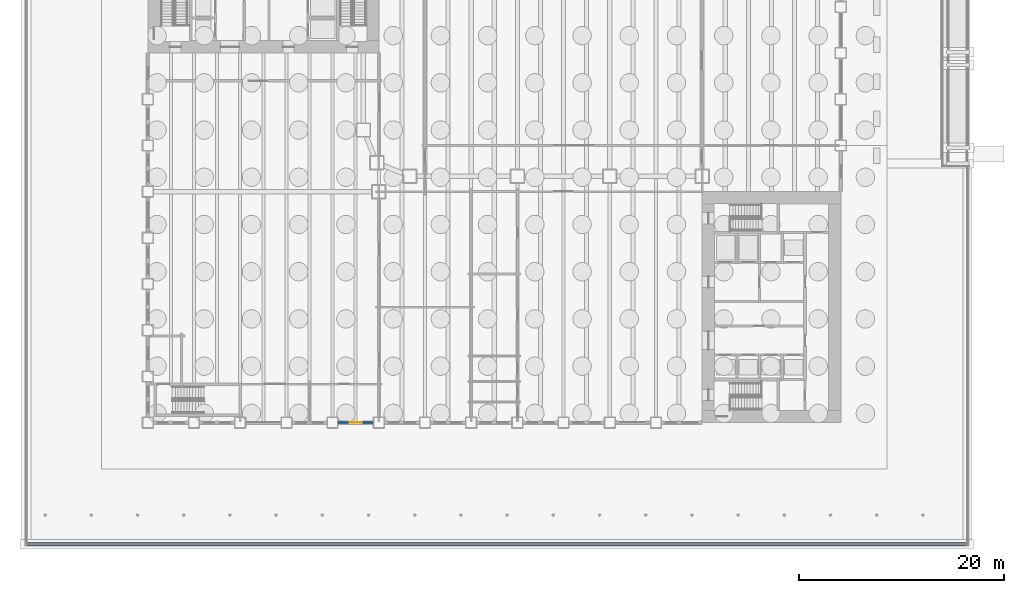
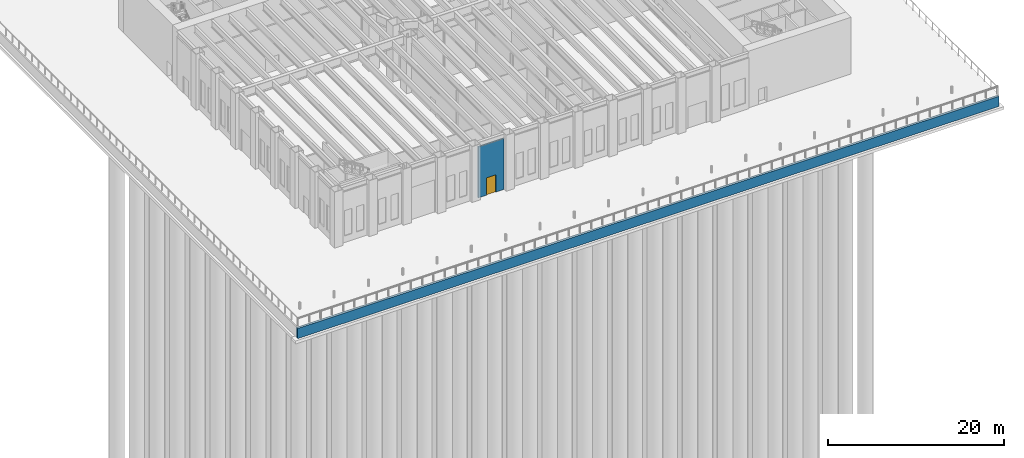
# One storey, part 7 of 26: 2 walls, 1 door, 1 opening.
"""IFC4 building model written with IfcOpenShell, lengths in metres."""

from ifc_helpers import new_model, si_unit, direction, frame, frame_2d, origin, place, context, subcontext, project, spatial, rectangle, extrude, material, layer, layer_set, type_object, element, fill, save


model = new_model("IFC4")

# Units and contexts
model_context = context("Model", 3, precision=1e-05, world=origin(), true_north=direction((0.0, 1.0)))
body_context = subcontext(model_context, "Body", "Model", "MODEL_VIEW")
ifc_project = project(units=[si_unit("LENGTHUNIT", "METRE"), si_unit("AREAUNIT", "SQUARE_METRE"), si_unit("VOLUMEUNIT", "CUBIC_METRE"), si_unit("PLANEANGLEUNIT", "RADIAN"), si_unit("MASSUNIT", "GRAM", prefix="KILO")], contexts=[model_context])

# Site, building, storey
site_placement = place(None, origin())
site = spatial("IfcSite", under=ifc_project, at=site_placement, CompositionType="ELEMENT")
building_placement = place(site_placement, origin())
building = spatial("IfcBuilding", under=site, at=building_placement, Name="Sennacour Bend Tower", CompositionType="ELEMENT")
storey_placement = place(building_placement, origin())
storey = spatial("IfcBuildingStorey", under=building, at=storey_placement, Name="L00", CompositionType="ELEMENT", Elevation=0.0)

# Wall, opening, door
ifc_material_1 = material(Name="Bronze anodised aluminium panel", Category="aluminium")
ifc_layer_1 = layer(ifc_material_1, 0.030029296875, Name="Bronze anodised aluminium panel", Category="aluminium")
ifc_material_2 = material(Name="Precast concrete C40/50", Category="concrete")
ifc_layer_2 = layer(ifc_material_2, 0.169921875, Name="Precast concrete C40/50", Category="concrete")
ifc_layer_set_1 = layer_set([ifc_layer_1, ifc_layer_2], Name="Precast concrete C40/50 with bronze aluminium panel")
wall_type_1 = type_object("IfcWallType", Name="ALUMINIUM-CLAD INFILL WALL 200", PredefinedType="STANDARD", material=ifc_layer_set_1)
wall_1_placement = place(storey_placement, frame((21.949951171875, 0.0, 0.0), z_axis=(0.0, 0.0, 1.0), x_axis=(-1.0, 0.0, 0.0)))
wall_1 = element("IfcWall", 1, at=wall_1_placement, inside=storey, type_object=wall_type_1, Name="Infill wall L00 03.04", PredefinedType="STANDARD", context=body_context, shape_type="SweptSolid", body=[
    extrude(rectangle(XDim=3.39990234375, YDim=0.199951171875, at=frame_2d((1.699951171875, 0.0))), origin(), (0.0, 0.0, 1.0), 7.035888671875),
])
opening_placement = place(wall_1_placement, frame((1.10009765625, 0.0, 0.0)))
opening = element("IfcOpeningElement", 2, at=opening_placement, cuts=wall_1, Name="Opening ED2", PredefinedType="OPENING", context=body_context, shape_type="SweptSolid", body=[
    extrude(rectangle(XDim=1.199951171875, YDim=2.39990234375, at=frame_2d((0.60009765625, 1.199951171875))), frame((0.0, 0.10986328125, 0.0), z_axis=(0.0, -1.0, 0.0), x_axis=(1.0, 0.0, 0.0)), (0.0, 0.0, 1.0), 0.219970703125),
])
ifc_material_3 = material(Name="Steel door leaf", Category="steel")
door_type = type_object("IfcDoorType", Name="DR-SERVICE-1200x2400", OperationType="SINGLE_SWING_RIGHT", PredefinedType="DOOR", material=ifc_material_3)
door_placement = place(opening_placement, origin())
door = element("IfcDoor", 3, at=door_placement, inside=storey, type_object=door_type, Name="Exterior door L00 03.04", OperationType="SINGLE_SWING_RIGHT", OverallHeight=2.39990234375, OverallWidth=1.199951171875, PredefinedType="DOOR", context=body_context, shape_type="SweptSolid", body=[
    extrude(rectangle(XDim=1.199951171875, YDim=2.39990234375, at=frame_2d((0.60009765625, 1.199951171875))), frame((0.0, 0.02490234375, 0.0), z_axis=(0.0, -1.0, 0.0), x_axis=(1.0, 0.0, 0.0)), (0.0, 0.0, 1.0), 0.050048828125),
])
fill(opening, door)

# Wall
ifc_material_4 = material(Name="Concrete C40/50", Category="concrete")
ifc_layer_3 = layer(ifc_material_4, 0.300048828125, Name="Concrete C40/50", Category="concrete")
ifc_layer_set_2 = layer_set([ifc_layer_3], Name="Concrete C40/50")
wall_type_2 = type_object("IfcWallType", Name="PLAZA RETAINING WALL 300", PredefinedType="STANDARD", material=ifc_layer_set_2)
wall_2_placement = place(storey_placement, frame((-12.0, -11.85009765625, -1.60009765625), z_axis=(0.0, 0.0, 1.0), x_axis=(1.0, 0.0, 0.0)))
element("IfcWall", 4, at=wall_2_placement, inside=storey, type_object=wall_type_2, Name="Plaza retaining wall south", PredefinedType="STANDARD", context=body_context, shape_type="SweptSolid", body=[
    extrude(rectangle(XDim=92.0, YDim=0.300048828125, at=frame_2d((46.0, 0.0))), origin(), (0.0, 0.0, 1.0), 1.400146484375),
])

save(model, "model.ifc")
